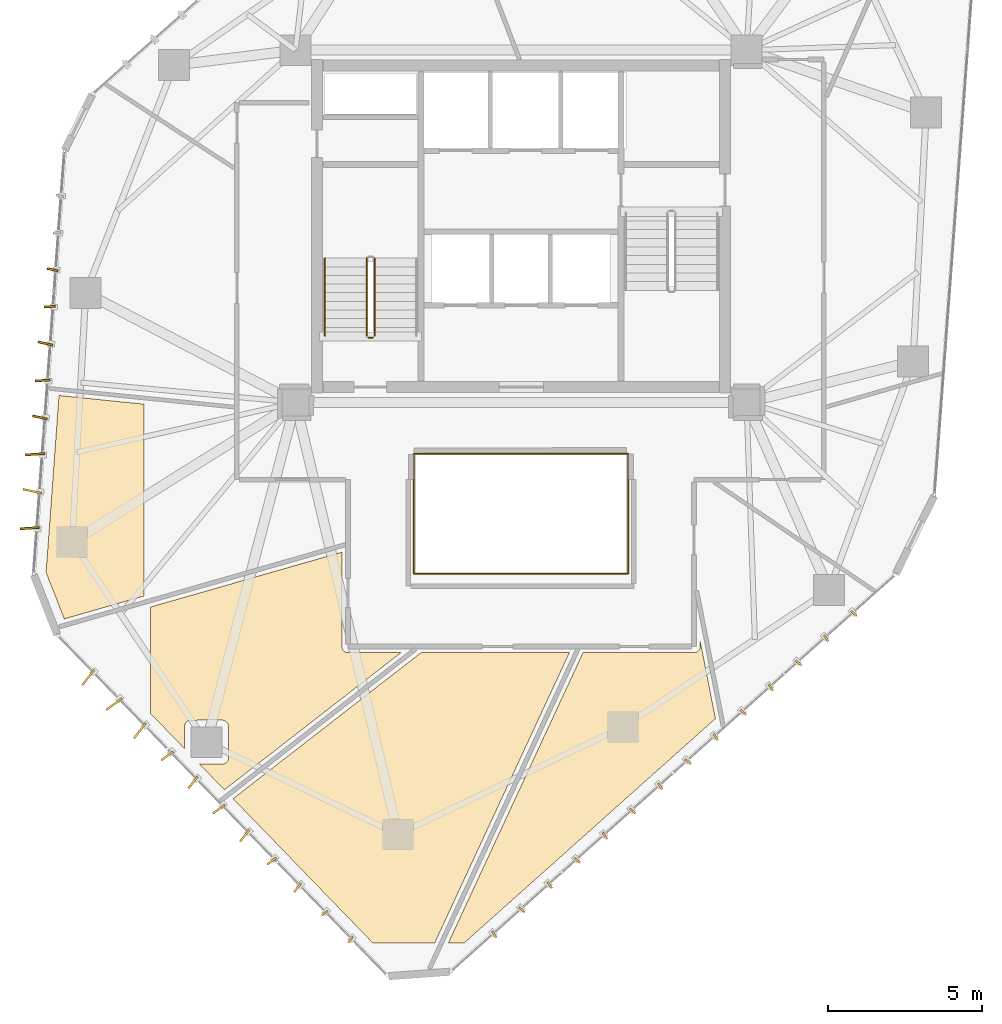
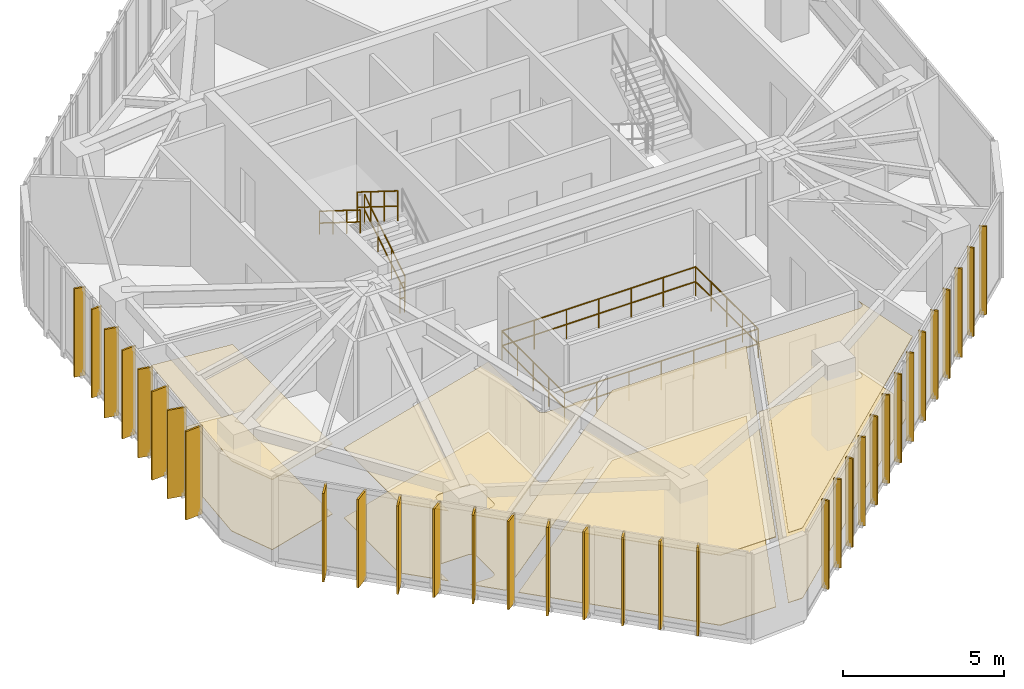
# One storey, part 18 of 19: 33 shading devices, 8 coverings, 8 railings.
"""IFC4 building model written with IfcOpenShell, lengths in metres."""

from ifc_helpers import new_model, si_unit, direction, frame, origin, origin_2d, place, context, subcontext, project, spatial, polyline, rectangle, circle, outline, extrude, source, transform, mapped, material, layer, layer_set, type_object, type_shapes, element, save


model = new_model("IFC4")

# Units and contexts
model_context = context("Model", 3, precision=1e-05, world=origin(), true_north=direction((0.0, 1.0)))
body_context = subcontext(model_context, "Body", "Model", "MODEL_VIEW")
ifc_project = project(units=[si_unit("LENGTHUNIT", "METRE"), si_unit("AREAUNIT", "SQUARE_METRE"), si_unit("VOLUMEUNIT", "CUBIC_METRE"), si_unit("PLANEANGLEUNIT", "RADIAN"), si_unit("MASSUNIT", "GRAM", prefix="KILO")], contexts=[model_context])

# Site, building, storey
site_placement = place(None, origin())
site = spatial("IfcSite", under=ifc_project, at=site_placement, CompositionType="ELEMENT")
building_placement = place(site_placement, origin())
building = spatial("IfcBuilding", under=site, at=building_placement, Name="Talar Marvaseh", CompositionType="ELEMENT")
storey_placement = place(building_placement, frame((0.0, 0.0, 222.199951171875)))
storey = spatial("IfcBuildingStorey", under=building, at=storey_placement, Name="L58", CompositionType="ELEMENT", Elevation=222.199951171875)

# Railings
ifc_material_1 = material(Name="Stainless Steel Grade 316", Category="steel")
railing_type_1 = type_object("IfcRailingType", Name="Brushed Stainless Wall Pitch Handrail 900", PredefinedType="HANDRAIL", material=ifc_material_1)
railing_1_placement = place(storey_placement, frame((19.64990234375, 30.169921875, 1.925048828125)))
element("IfcRailing", 1, at=railing_1_placement, inside=storey, type_object=railing_type_1, Name="L58 ST-1 stair handrail 2", PredefinedType="HANDRAIL", context=body_context, shape_type="SweptSolid", body=[
    extrude(circle(Radius=0.02392578125, at=origin_2d()), frame((0.0, 0.0, 0.8759765625), z_axis=(0.0, -0.848007534815, 0.529984170421), x_axis=(1.0, 0.0, 0.0)), (0.0, 0.0, 1.0), 2.9716796875),
    extrude(circle(Radius=0.02392578125, at=origin_2d()), frame((0.0, 0.0, 0.42578125), z_axis=(0.0, -0.848007534815, 0.529984170421), x_axis=(1.0, 0.0, 0.0)), (0.0, 0.0, 1.0), 2.9716796875),
    extrude(circle(Radius=0.02099609375, at=origin_2d()), origin(), (0.0, 0.0, 1.0), 0.851806640625),
    extrude(circle(Radius=0.02099609375, at=origin_2d()), frame((0.0, -0.840087890625, 0.52490234375)), (0.0, 0.0, 1.0), 0.851806640625),
    extrude(circle(Radius=0.02099609375, at=origin_2d()), frame((0.0, -1.679931640625, 1.050048828125)), (0.0, 0.0, 1.0), 0.851806640625),
    extrude(circle(Radius=0.02099609375, at=origin_2d()), frame((0.0, -2.52001953125, 1.574951171875)), (0.0, 0.0, 1.0), 0.851806640625),
])
ifc_material_2 = material(Name="Tempered Clear Glass", Category="glass")
railing_type_2 = type_object("IfcRailingType", Name="Interior Atrium Edge Balustrade 1120", PredefinedType="BALUSTRADE", material=ifc_material_2)
railing_2_placement = place(storey_placement, frame((22.5302734375, 19.9609375, 0.0)))
element("IfcRailing", 2, at=railing_2_placement, inside=storey, type_object=railing_type_2, Name="L58 Internal Daylight Atrium Balustrade 1", PredefinedType="BALUSTRADE", context=body_context, shape_type="SweptSolid", body=[
    extrude(circle(Radius=0.02392578125, at=origin_2d()), frame((0.0, 0.0, 1.09619140625), z_axis=(1.0, 0.0, 0.0), x_axis=(0.0, 1.0, 0.0)), (0.0, 0.0, 1.0), 6.939453125),
    extrude(circle(Radius=0.02392578125, at=origin_2d()), frame((0.0, 0.0, 0.5361328125), z_axis=(1.0, 0.0, 0.0), x_axis=(0.0, 1.0, 0.0)), (0.0, 0.0, 1.0), 6.939453125),
    extrude(circle(Radius=0.02099609375, at=origin_2d()), origin(), (0.0, 0.0, 1.0), 1.072021484375),
    extrude(circle(Radius=0.02099609375, at=origin_2d()), frame((1.156494140625, 0.0, 0.0)), (0.0, 0.0, 1.0), 1.072021484375),
    extrude(circle(Radius=0.02099609375, at=origin_2d()), frame((2.313232421875, 0.0, 0.0)), (0.0, 0.0, 1.0), 1.072021484375),
    extrude(circle(Radius=0.02099609375, at=origin_2d()), frame((3.4697265625, 0.0, 0.0)), (0.0, 0.0, 1.0), 1.072021484375),
    extrude(circle(Radius=0.02099609375, at=origin_2d()), frame((4.626220703125, 0.0, 0.0)), (0.0, 0.0, 1.0), 1.072021484375),
    extrude(circle(Radius=0.02099609375, at=origin_2d()), frame((5.782958984375, 0.0, 0.0)), (0.0, 0.0, 1.0), 1.072021484375),
    extrude(circle(Radius=0.02099609375, at=origin_2d()), frame((6.939453125, 0.0, 0.0)), (0.0, 0.0, 1.0), 1.072021484375),
])
railing_3_placement = place(storey_placement, frame((29.4697265625, 19.9609375, 0.0)))
element("IfcRailing", 3, at=railing_3_placement, inside=storey, type_object=railing_type_2, Name="L58 Internal Daylight Atrium Balustrade 2", PredefinedType="BALUSTRADE", context=body_context, shape_type="SweptSolid", body=[
    extrude(circle(Radius=0.02392578125, at=origin_2d()), frame((0.0, 0.0, 1.09619140625), z_axis=(0.0, 1.0, 0.0), x_axis=(-1.0, 0.0, 0.0)), (0.0, 0.0, 1.0), 3.878173828125),
    extrude(circle(Radius=0.02392578125, at=origin_2d()), frame((0.0, 0.0, 0.5361328125), z_axis=(0.0, 1.0, 0.0), x_axis=(-1.0, 0.0, 0.0)), (0.0, 0.0, 1.0), 3.878173828125),
    extrude(circle(Radius=0.02099609375, at=origin_2d()), origin(), (0.0, 0.0, 1.0), 1.072021484375),
    extrude(circle(Radius=0.02099609375, at=origin_2d()), frame((0.0, 0.969482421875, 0.0)), (0.0, 0.0, 1.0), 1.072021484375),
    extrude(circle(Radius=0.02099609375, at=origin_2d()), frame((0.0, 1.93896484375, 0.0)), (0.0, 0.0, 1.0), 1.072021484375),
    extrude(circle(Radius=0.02099609375, at=origin_2d()), frame((0.0, 2.90869140625, 0.0)), (0.0, 0.0, 1.0), 1.072021484375),
    extrude(circle(Radius=0.02099609375, at=origin_2d()), frame((0.0, 3.878173828125, 0.0)), (0.0, 0.0, 1.0), 1.072021484375),
])
railing_4_placement = place(storey_placement, frame((29.4697265625, 23.839111328125, 0.0)))
element("IfcRailing", 4, at=railing_4_placement, inside=storey, type_object=railing_type_2, Name="L58 Internal Daylight Atrium Balustrade 3", PredefinedType="BALUSTRADE", context=body_context, shape_type="SweptSolid", body=[
    extrude(circle(Radius=0.02392578125, at=origin_2d()), frame((0.0, 0.0, 1.09619140625), z_axis=(-1.0, 0.0, 0.0), x_axis=(0.0, -1.0, 0.0)), (0.0, 0.0, 1.0), 6.939453125),
    extrude(circle(Radius=0.02392578125, at=origin_2d()), frame((0.0, 0.0, 0.5361328125), z_axis=(-1.0, 0.0, 0.0), x_axis=(0.0, -1.0, 0.0)), (0.0, 0.0, 1.0), 6.939453125),
    extrude(circle(Radius=0.02099609375, at=origin_2d()), origin(), (0.0, 0.0, 1.0), 1.072021484375),
    extrude(circle(Radius=0.02099609375, at=origin_2d()), frame((-1.156494140625, 0.0, 0.0)), (0.0, 0.0, 1.0), 1.072021484375),
    extrude(circle(Radius=0.02099609375, at=origin_2d()), frame((-2.313232421875, 0.0, 0.0)), (0.0, 0.0, 1.0), 1.072021484375),
    extrude(circle(Radius=0.02099609375, at=origin_2d()), frame((-3.4697265625, 0.0, 0.0)), (0.0, 0.0, 1.0), 1.072021484375),
    extrude(circle(Radius=0.02099609375, at=origin_2d()), frame((-4.626220703125, 0.0, 0.0)), (0.0, 0.0, 1.0), 1.072021484375),
    extrude(circle(Radius=0.02099609375, at=origin_2d()), frame((-5.782958984375, 0.0, 0.0)), (0.0, 0.0, 1.0), 1.072021484375),
    extrude(circle(Radius=0.02099609375, at=origin_2d()), frame((-6.939453125, 0.0, 0.0)), (0.0, 0.0, 1.0), 1.072021484375),
])
railing_5_placement = place(storey_placement, frame((22.5302734375, 23.839111328125, 0.0)))
element("IfcRailing", 5, at=railing_5_placement, inside=storey, type_object=railing_type_2, Name="L58 Internal Daylight Atrium Balustrade 4", PredefinedType="BALUSTRADE", context=body_context, shape_type="SweptSolid", body=[
    extrude(circle(Radius=0.02392578125, at=origin_2d()), frame((0.0, 0.0, 1.09619140625), z_axis=(0.0, -1.0, 0.0), x_axis=(1.0, 0.0, 0.0)), (0.0, 0.0, 1.0), 3.878173828125),
    extrude(circle(Radius=0.02392578125, at=origin_2d()), frame((0.0, 0.0, 0.5361328125), z_axis=(0.0, -1.0, 0.0), x_axis=(1.0, 0.0, 0.0)), (0.0, 0.0, 1.0), 3.878173828125),
    extrude(circle(Radius=0.02099609375, at=origin_2d()), origin(), (0.0, 0.0, 1.0), 1.072021484375),
    extrude(circle(Radius=0.02099609375, at=origin_2d()), frame((0.0, -0.969482421875, 0.0)), (0.0, 0.0, 1.0), 1.072021484375),
    extrude(circle(Radius=0.02099609375, at=origin_2d()), frame((0.0, -1.93896484375, 0.0)), (0.0, 0.0, 1.0), 1.072021484375),
    extrude(circle(Radius=0.02099609375, at=origin_2d()), frame((0.0, -2.90869140625, 0.0)), (0.0, 0.0, 1.0), 1.072021484375),
    extrude(circle(Radius=0.02099609375, at=origin_2d()), frame((0.0, -3.878173828125, 0.0)), (0.0, 0.0, 1.0), 1.072021484375),
])
railing_type_3 = type_object("IfcRailingType", Name="Painted Steel Core Stair Well Guardrail 1150", PredefinedType="GUARDRAIL", material=ifc_material_1)
railing_6_placement = place(storey_placement, frame((21.260009765625, 27.64990234375, 0.175048828125)))
element("IfcRailing", 6, at=railing_6_placement, inside=storey, type_object=railing_type_3, Name="L58 ST-1 stair guard 1", PredefinedType="GUARDRAIL", context=body_context, shape_type="SweptSolid", body=[
    extrude(circle(Radius=0.02392578125, at=origin_2d()), frame((0.0, 0.0, 1.1259765625), z_axis=(0.0, 0.848007534815, 0.529984170421), x_axis=(-1.0, 0.0, 0.0)), (0.0, 0.0, 1.0), 2.9716796875),
    extrude(circle(Radius=0.02392578125, at=origin_2d()), frame((0.0, 0.0, 0.55078125), z_axis=(0.0, 0.848007534815, 0.529984170421), x_axis=(-1.0, 0.0, 0.0)), (0.0, 0.0, 1.0), 2.9716796875),
    extrude(circle(Radius=0.02099609375, at=origin_2d()), origin(), (0.0, 0.0, 1.0), 1.101806640625),
    extrude(circle(Radius=0.02099609375, at=origin_2d()), frame((0.0, 0.840087890625, 0.52490234375)), (0.0, 0.0, 1.0), 1.101806640625),
    extrude(circle(Radius=0.02099609375, at=origin_2d()), frame((0.0, 1.679931640625, 1.050048828125)), (0.0, 0.0, 1.0), 1.101806640625),
    extrude(circle(Radius=0.02099609375, at=origin_2d()), frame((0.0, 2.52001953125, 1.574951171875)), (0.0, 0.0, 1.0), 1.101806640625),
])
railing_7_placement = place(storey_placement, frame((21.0, 30.169921875, 1.925048828125)))
element("IfcRailing", 7, at=railing_7_placement, inside=storey, type_object=railing_type_3, Name="L58 ST-1 stair guard 3", PredefinedType="GUARDRAIL", context=body_context, shape_type="SweptSolid", body=[
    extrude(circle(Radius=0.02392578125, at=origin_2d()), frame((0.0, 0.0, 1.1259765625), z_axis=(0.0, -0.848007534815, 0.529984170421), x_axis=(1.0, 0.0, 0.0)), (0.0, 0.0, 1.0), 2.9716796875),
    extrude(circle(Radius=0.02392578125, at=origin_2d()), frame((0.0, 0.0, 0.55078125), z_axis=(0.0, -0.848007534815, 0.529984170421), x_axis=(1.0, 0.0, 0.0)), (0.0, 0.0, 1.0), 2.9716796875),
    extrude(circle(Radius=0.02099609375, at=origin_2d()), origin(), (0.0, 0.0, 1.0), 1.101806640625),
    extrude(circle(Radius=0.02099609375, at=origin_2d()), frame((0.0, -0.840087890625, 0.52490234375)), (0.0, 0.0, 1.0), 1.101806640625),
    extrude(circle(Radius=0.02099609375, at=origin_2d()), frame((0.0, -1.679931640625, 1.050048828125)), (0.0, 0.0, 1.0), 1.101806640625),
    extrude(circle(Radius=0.02099609375, at=origin_2d()), frame((0.0, -2.52001953125, 1.574951171875)), (0.0, 0.0, 1.0), 1.101806640625),
])
railing_8_placement = place(storey_placement, frame((21.2099609375, 27.60009765625, 0.0)))
element("IfcRailing", 8, at=railing_8_placement, inside=storey, type_object=railing_type_3, Name="L58 ST-1 stair guard 4", PredefinedType="GUARDRAIL", context=body_context, shape_type="SweptSolid", body=[
    extrude(circle(Radius=0.02392578125, at=origin_2d()), frame((0.0, 0.0, 1.1259765625), z_axis=(-1.0, 0.0, 0.0), x_axis=(0.0, -1.0, 0.0)), (0.0, 0.0, 1.0), 0.159912109375),
    extrude(circle(Radius=0.02392578125, at=origin_2d()), frame((0.0, 0.0, 0.55078125), z_axis=(-1.0, 0.0, 0.0), x_axis=(0.0, -1.0, 0.0)), (0.0, 0.0, 1.0), 0.159912109375),
    extrude(circle(Radius=0.02099609375, at=origin_2d()), origin(), (0.0, 0.0, 1.0), 1.101806640625),
    extrude(circle(Radius=0.02099609375, at=origin_2d()), frame((-0.159912109375, 0.0, 0.0)), (0.0, 0.0, 1.0), 1.101806640625),
])

# Coverings
ifc_material_3 = material(Name="Mineral Fibre Acoustic Ceiling")
ifc_layer_1 = layer(ifc_material_3, 0.02490234375)
ifc_layer_set_1 = layer_set([ifc_layer_1], Name="Mineral Fibre Acoustic Ceiling")
covering_type_1 = type_object("IfcCoveringType", Name="Perforated Mineral Fibre Acoustic Suspended Ceiling", PredefinedType="CEILING", material=ifc_layer_set_1)
covering_1_placement = place(storey_placement, frame((0.0, 0.0, 2.650146484375)))
element("IfcCovering", 9, at=covering_1_placement, inside=storey, type_object=covering_type_1, Name="L58 Gallery Concierge Reception Acoustic Ceiling", PredefinedType="CEILING", context=body_context, shape_type="SweptSolid", body=[
    extrude(outline(polyline([(13.800048828125, 19.2333984375), (11.2158203125, 18.4921875), (10.62646484375, 19.997802734375), (11.045166015625, 25.724853515625), (13.800048828125, 25.4423828125), (13.800048828125, 19.2333984375)])), origin(), (0.0, 0.0, 1.0), 0.02490234375),
])
covering_2_placement = place(storey_placement, frame((0.0, 0.0, 2.650146484375)))
element("IfcCovering", 10, at=covering_2_placement, inside=storey, type_object=covering_type_1, Name="L58 Rare Books Archive Room Acoustic Ceiling", PredefinedType="CEILING", context=body_context, shape_type="SweptSolid", body=[
    extrude(outline(polyline([(20.199951171875, 17.60009765625), (20.200927734375, 17.580322265625), (20.203857421875, 17.56103515625), (20.20849609375, 17.5419921875), (20.215087890625, 17.5234375), (20.2236328125, 17.505615234375), (20.233642578125, 17.489013671875), (20.245361328125, 17.47314453125), (20.258544921875, 17.45849609375), (20.273193359375, 17.4453125), (20.288818359375, 17.43359375), (20.3056640625, 17.423583984375), (20.323486328125, 17.415283203125), (20.341796875, 17.40869140625), (20.361083984375, 17.40380859375), (20.38037109375, 17.40087890625), (20.39990234375, 17.39990234375), (22.111083984375, 17.39990234375), (16.399658203125, 12.9609375), (15.595947265625, 13.790283203125), (16.32958984375, 13.790283203125), (16.34912109375, 13.79150390625), (16.368408203125, 13.794189453125), (16.387451171875, 13.799072265625), (16.406005859375, 13.805419921875), (16.423583984375, 13.81396484375), (16.4404296875, 13.823974609375), (16.456298828125, 13.835693359375), (16.470703125, 13.8486328125), (16.48388671875, 13.86328125), (16.49560546875, 13.87890625), (16.505615234375, 13.8955078125), (16.51416015625, 13.913330078125), (16.520751953125, 13.931640625), (16.525634765625, 13.95068359375), (16.528564453125, 13.969970703125), (16.529541015625, 13.989501953125), (16.533935546875, 15.001708984375), (16.533203125, 15.020263671875), (16.530517578125, 15.038818359375), (16.5263671875, 15.056884765625), (16.5205078125, 15.07470703125), (16.512939453125, 15.091552734375), (16.50390625, 15.10791015625), (16.493408203125, 15.123291015625), (16.4814453125, 15.1376953125), (16.46826171875, 15.150634765625), (16.453369140625, 15.164306640625), (16.43896484375, 15.176025390625), (16.423583984375, 15.186279296875), (16.407470703125, 15.1953125), (16.390625, 15.202880859375), (16.373046875, 15.20849609375), (16.35498046875, 15.212646484375), (16.336669921875, 15.215087890625), (16.318115234375, 15.216064453125), (15.3076171875, 15.211669921875), (15.2880859375, 15.210693359375), (15.2685546875, 15.20751953125), (15.249755859375, 15.202880859375), (15.231201171875, 15.196044921875), (15.213623046875, 15.187744140625), (15.19677734375, 15.177490234375), (15.18115234375, 15.166015625), (15.166748046875, 15.152587890625), (15.153564453125, 15.13818359375), (15.141845703125, 15.122314453125), (15.1318359375, 15.105712890625), (15.12353515625, 15.087890625), (15.116943359375, 15.069580078125), (15.1123046875, 15.050537109375), (15.109375, 15.031005859375), (15.1083984375, 15.01171875), (15.1083984375, 14.293701171875), (14.0, 15.4375), (14.0, 18.87451171875), (20.199951171875, 20.65234375), (20.199951171875, 17.60009765625)])), origin(), (0.0, 0.0, 1.0), 0.02490234375),
])
covering_3_placement = place(storey_placement, frame((0.0, 0.0, 2.650146484375)))
element("IfcCovering", 11, at=covering_3_placement, inside=storey, type_object=covering_type_1, Name="L58 Visitor Orientation Foyer Acoustic Ceiling", PredefinedType="CEILING", context=body_context, shape_type="SweptSolid", body=[
    extrude(outline(polyline([(27.564208984375, 17.39990234375), (23.20361328125, 8.0), (21.20654296875, 8.0), (16.6796875, 12.672119140625), (22.762939453125, 17.39990234375), (27.564208984375, 17.39990234375)])), origin(), (0.0, 0.0, 1.0), 0.02490234375),
])
covering_4_placement = place(storey_placement, frame((0.0, 0.0, 2.650146484375)))
element("IfcCovering", 12, at=covering_4_placement, inside=storey, type_object=covering_type_1, Name="L58 Collection Conservation Store Acoustic Ceiling", PredefinedType="CEILING", context=body_context, shape_type="SweptSolid", body=[
    extrude(outline(polyline([(31.60009765625, 17.39990234375), (31.61962890625, 17.40087890625), (31.638916015625, 17.40380859375), (31.658203125, 17.40869140625), (31.676513671875, 17.415283203125), (31.6943359375, 17.423583984375), (31.711181640625, 17.43359375), (31.726806640625, 17.4453125), (31.741455078125, 17.45849609375), (31.754638671875, 17.47314453125), (31.766357421875, 17.489013671875), (31.7763671875, 17.505615234375), (31.784912109375, 17.5234375), (31.79150390625, 17.5419921875), (31.796142578125, 17.56103515625), (31.799072265625, 17.580322265625), (31.800048828125, 17.60009765625), (31.800048828125, 17.771728515625), (32.29248046875, 15.265380859375), (24.15478515625, 8.0), (23.64453125, 8.0), (28.005126953125, 17.39990234375), (31.60009765625, 17.39990234375)])), origin(), (0.0, 0.0, 1.0), 0.02490234375),
])
ifc_material_4 = material(Name="Porcelain Stoneware Tile", Category="masonry")
ifc_layer_2 = layer(ifc_material_4, 0.02001953125)
ifc_layer_set_2 = layer_set([ifc_layer_2], Name="Porcelain Stoneware Tile")
covering_type_2 = type_object("IfcCoveringType", Name="Polished Porcelain Stoneware Gallery Flooring", PredefinedType="FLOORING", material=ifc_layer_set_2)
covering_5_placement = place(storey_placement, origin())
element("IfcCovering", 13, at=covering_5_placement, inside=storey, type_object=covering_type_2, Name="L58 Gallery Concierge Reception Flooring", PredefinedType="FLOORING", context=body_context, shape_type="SweptSolid", body=[
    extrude(outline(polyline([(13.800048828125, 19.2333984375), (11.2158203125, 18.4921875), (10.62646484375, 19.997802734375), (11.045166015625, 25.724853515625), (13.800048828125, 25.4423828125), (13.800048828125, 19.2333984375)])), origin(), (0.0, 0.0, 1.0), 0.02001953125),
])
covering_6_placement = place(storey_placement, origin())
element("IfcCovering", 14, at=covering_6_placement, inside=storey, type_object=covering_type_2, Name="L58 Rare Books Archive Room Flooring", PredefinedType="FLOORING", context=body_context, shape_type="SweptSolid", body=[
    extrude(outline(polyline([(20.199951171875, 17.60009765625), (20.200927734375, 17.580322265625), (20.203857421875, 17.56103515625), (20.20849609375, 17.5419921875), (20.215087890625, 17.5234375), (20.2236328125, 17.505615234375), (20.233642578125, 17.489013671875), (20.245361328125, 17.47314453125), (20.258544921875, 17.45849609375), (20.273193359375, 17.4453125), (20.288818359375, 17.43359375), (20.3056640625, 17.423583984375), (20.323486328125, 17.415283203125), (20.341796875, 17.40869140625), (20.361083984375, 17.40380859375), (20.38037109375, 17.40087890625), (20.39990234375, 17.39990234375), (22.111083984375, 17.39990234375), (16.399658203125, 12.9609375), (15.595947265625, 13.790283203125), (16.32958984375, 13.790283203125), (16.34912109375, 13.79150390625), (16.368408203125, 13.794189453125), (16.387451171875, 13.799072265625), (16.406005859375, 13.805419921875), (16.423583984375, 13.81396484375), (16.4404296875, 13.823974609375), (16.456298828125, 13.835693359375), (16.470703125, 13.8486328125), (16.48388671875, 13.86328125), (16.49560546875, 13.87890625), (16.505615234375, 13.8955078125), (16.51416015625, 13.913330078125), (16.520751953125, 13.931640625), (16.525634765625, 13.95068359375), (16.528564453125, 13.969970703125), (16.529541015625, 13.989501953125), (16.533935546875, 15.001708984375), (16.533203125, 15.020263671875), (16.530517578125, 15.038818359375), (16.5263671875, 15.056884765625), (16.5205078125, 15.07470703125), (16.512939453125, 15.091552734375), (16.50390625, 15.10791015625), (16.493408203125, 15.123291015625), (16.4814453125, 15.1376953125), (16.46826171875, 15.150634765625), (16.453369140625, 15.164306640625), (16.43896484375, 15.176025390625), (16.423583984375, 15.186279296875), (16.407470703125, 15.1953125), (16.390625, 15.202880859375), (16.373046875, 15.20849609375), (16.35498046875, 15.212646484375), (16.336669921875, 15.215087890625), (16.318115234375, 15.216064453125), (15.3076171875, 15.211669921875), (15.2880859375, 15.210693359375), (15.2685546875, 15.20751953125), (15.249755859375, 15.202880859375), (15.231201171875, 15.196044921875), (15.213623046875, 15.187744140625), (15.19677734375, 15.177490234375), (15.18115234375, 15.166015625), (15.166748046875, 15.152587890625), (15.153564453125, 15.13818359375), (15.141845703125, 15.122314453125), (15.1318359375, 15.105712890625), (15.12353515625, 15.087890625), (15.116943359375, 15.069580078125), (15.1123046875, 15.050537109375), (15.109375, 15.031005859375), (15.1083984375, 15.01171875), (15.1083984375, 14.293701171875), (14.0, 15.4375), (14.0, 18.87451171875), (20.199951171875, 20.65234375), (20.199951171875, 17.60009765625)])), origin(), (0.0, 0.0, 1.0), 0.02001953125),
])
covering_7_placement = place(storey_placement, origin())
element("IfcCovering", 15, at=covering_7_placement, inside=storey, type_object=covering_type_2, Name="L58 Visitor Orientation Foyer Flooring", PredefinedType="FLOORING", context=body_context, shape_type="SweptSolid", body=[
    extrude(outline(polyline([(27.564208984375, 17.39990234375), (23.20361328125, 8.0), (21.20654296875, 8.0), (16.6796875, 12.672119140625), (22.762939453125, 17.39990234375), (27.564208984375, 17.39990234375)])), origin(), (0.0, 0.0, 1.0), 0.02001953125),
])
covering_8_placement = place(storey_placement, origin())
element("IfcCovering", 16, at=covering_8_placement, inside=storey, type_object=covering_type_2, Name="L58 Collection Conservation Store Flooring", PredefinedType="FLOORING", context=body_context, shape_type="SweptSolid", body=[
    extrude(outline(polyline([(31.60009765625, 17.39990234375), (31.61962890625, 17.40087890625), (31.638916015625, 17.40380859375), (31.658203125, 17.40869140625), (31.676513671875, 17.415283203125), (31.6943359375, 17.423583984375), (31.711181640625, 17.43359375), (31.726806640625, 17.4453125), (31.741455078125, 17.45849609375), (31.754638671875, 17.47314453125), (31.766357421875, 17.489013671875), (31.7763671875, 17.505615234375), (31.784912109375, 17.5234375), (31.79150390625, 17.5419921875), (31.796142578125, 17.56103515625), (31.799072265625, 17.580322265625), (31.800048828125, 17.60009765625), (31.800048828125, 17.771728515625), (32.29248046875, 15.265380859375), (24.15478515625, 8.0), (23.64453125, 8.0), (28.005126953125, 17.39990234375), (31.60009765625, 17.39990234375)])), origin(), (0.0, 0.0, 1.0), 0.02001953125),
])

# Shading devices
ifc_material_5 = material(Name="Anodised Champagne Bronze Aluminium", Category="aluminium")
ifc_layer_3 = layer(ifc_material_5, 0.06494140625)
ifc_layer_set_3 = layer_set([ifc_layer_3], Name="Anodised Champagne Bronze Aluminium")
shading_device_type_1 = type_object("IfcShadingDeviceType", Name="Sawtooth Champagne Bronze Vertical Fin 240", PredefinedType="USERDEFINED", material=ifc_layer_set_3)
shared_shape_1 = source(origin(), body_context, "Body", "SweptSolid", [
    extrude(rectangle(XDim=0.239990234375, YDim=0.06494140625, at=origin_2d()), origin(), (0.0, 0.0, 1.0), 3.35009765625),
])
type_shapes(shading_device_type_1, [shared_shape_1])
for number, where, z_axis, x_axis, name in (
    (17, (20.479736328125, 8.110595703125, -0.1201171875), (0.0, 0.0, 1.0), (-0.614285200099, -0.789084084835, 0.0), "L58 Sawtooth Vertical Solar Fin"),
    (18, (19.644775390625, 8.972412109375, -0.1201171875), (0.0, 0.0, 1.0), (-0.807989883898, -0.589196357353, 0.0), "L58 Sawtooth Vertical Solar Fin"),
    (19, (36.771728515625, 18.668212890625, -0.1201171875), (0.0, 0.0, 1.0), (0.763345228065, -0.645990760607, 0.0), "L58 Sawtooth Vertical Solar Fin"),
    (20, (35.876708984375, 17.868896484375, -0.1201171875), (0.0, 0.0, 1.0), (0.555715343381, -0.831372634341, 0.0), "L58 Sawtooth Vertical Solar Fin"),
    (21, (34.9814453125, 17.069580078125, -0.1201171875), (0.0, 0.0, 1.0), (0.763345228065, -0.645990760607, 0.0), "L58 Sawtooth Vertical Solar Fin"),
    (22, (34.08642578125, 16.2705078125, -0.1201171875), (0.0, 0.0, 1.0), (0.555715343381, -0.831372634341, 0.0), "L58 Sawtooth Vertical Solar Fin"),
    (23, (33.191162109375, 15.47119140625, -0.1201171875), (0.0, 0.0, 1.0), (0.763345228065, -0.645990760607, 0.0), "L58 Sawtooth Vertical Solar Fin"),
    (24, (32.296142578125, 14.672119140625, -0.1201171875), (0.0, 0.0, 1.0), (0.555715343381, -0.831372634341, 0.0), "L58 Sawtooth Vertical Solar Fin"),
    (25, (31.40087890625, 13.872802734375, -0.1201171875), (0.0, 0.0, 1.0), (0.763345228065, -0.645990760607, 0.0), "L58 Sawtooth Vertical Solar Fin"),
    (26, (30.505859375, 13.07373046875, -0.1201171875), (0.0, 0.0, 1.0), (0.555715343381, -0.831372634341, 0.0), "L58 Sawtooth Vertical Solar Fin"),
    (27, (29.610595703125, 12.2744140625, -0.1201171875), (0.0, 0.0, 1.0), (0.763345228065, -0.645990760607, 0.0), "L58 Sawtooth Vertical Solar Fin"),
    (28, (28.715576171875, 11.475341796875, -0.1201171875), (0.0, 0.0, 1.0), (0.555715343381, -0.831372634341, 0.0), "L58 Sawtooth Vertical Solar Fin"),
    (29, (27.8203125, 10.676025390625, -0.1201171875), (0.0, 0.0, 1.0), (0.763345228065, -0.645990760607, 0.0), "L58 Sawtooth Vertical Solar Fin"),
    (30, (26.92529296875, 9.876953125, -0.1201171875), (0.0, 0.0, 1.0), (0.555715343381, -0.831372634341, 0.0), "L58 Sawtooth Vertical Solar Fin"),
    (31, (26.030029296875, 9.07763671875, -0.1201171875), (0.0, 0.0, 1.0), (0.763345228065, -0.645990760607, 0.0), "L58 Sawtooth Vertical Solar Fin"),
    (32, (25.135009765625, 8.278564453125, -0.1201171875), (0.0, 0.0, 1.0), (0.555715343381, -0.831372634341, 0.0), "L58 Sawtooth Vertical Solar Fin"),
):
    element("IfcShadingDevice", number, at=place(storey_placement, frame(where, z_axis=z_axis, x_axis=x_axis)), inside=storey, type_object=shading_device_type_1, Name=name, ObjectType="FIN", PredefinedType="USERDEFINED", context=body_context, shape_type="MappedRepresentation", body=[
        mapped(shared_shape_1, transform((0.0, 0.0, 0.0), x_axis=(1.0, 0.0, 0.0), y_axis=(0.0, 1.0, 0.0), z_axis=(0.0, 0.0, 1.0), scale=1.0)),
    ])
ifc_layer_4 = layer(ifc_material_5, 0.06494140625)
ifc_layer_set_4 = layer_set([ifc_layer_4], Name="Anodised Champagne Bronze Aluminium")
shading_device_type_2 = type_object("IfcShadingDeviceType", Name="Sawtooth Champagne Bronze Vertical Fin 360", PredefinedType="USERDEFINED", material=ifc_layer_set_4)
shared_shape_2 = source(origin(), body_context, "Body", "SweptSolid", [
    extrude(rectangle(XDim=0.360107421875, YDim=0.06494140625, at=origin_2d()), origin(), (0.0, 0.0, 1.0), 3.35009765625),
])
type_shapes(shading_device_type_2, [shared_shape_2])
for number, where, z_axis, x_axis, name in (
    (33, (18.7666015625, 9.79248046875, -0.1201171875), (0.0, 0.0, 1.0), (-0.614285200099, -0.789084084835, 0.0), "L58 Sawtooth Vertical Solar Fin"),
    (34, (17.931396484375, 10.654296875, -0.1201171875), (0.0, 0.0, 1.0), (-0.807989883898, -0.589196357353, 0.0), "L58 Sawtooth Vertical Solar Fin"),
    (35, (10.749267578125, 28.600341796875, -0.1201171875), (0.0, 0.0, 1.0), (-0.997778273548, -0.066622194773, 0.0), "L58 Sawtooth Vertical Solar Fin"),
    (36, (10.836669921875, 29.797119140625, -0.1201171875), (0.0, 0.0, 1.0), (-0.977489601007, 0.210983601077, 0.0), "L58 Sawtooth Vertical Solar Fin"),
):
    element("IfcShadingDevice", number, at=place(storey_placement, frame(where, z_axis=z_axis, x_axis=x_axis)), inside=storey, type_object=shading_device_type_2, Name=name, ObjectType="FIN", PredefinedType="USERDEFINED", context=body_context, shape_type="MappedRepresentation", body=[
        mapped(shared_shape_2, transform((0.0, 0.0, 0.0), x_axis=(1.0, 0.0, 0.0), y_axis=(0.0, 1.0, 0.0), z_axis=(0.0, 0.0, 1.0), scale=1.0)),
    ])
ifc_layer_5 = layer(ifc_material_5, 0.06494140625)
ifc_layer_set_5 = layer_set([ifc_layer_5], Name="Anodised Champagne Bronze Aluminium")
shading_device_type_3 = type_object("IfcShadingDeviceType", Name="Sawtooth Champagne Bronze Vertical Fin 480", PredefinedType="USERDEFINED", material=ifc_layer_set_5)
shared_shape_3 = source(origin(), body_context, "Body", "SweptSolid", [
    extrude(rectangle(XDim=0.47998046875, YDim=0.06494140625, at=origin_2d()), origin(), (0.0, 0.0, 1.0), 3.35009765625),
])
type_shapes(shading_device_type_3, [shared_shape_3])
for number, where, z_axis, x_axis, name in (
    (37, (17.053466796875, 11.474365234375, -0.1201171875), (0.0, 0.0, 1.0), (-0.614285200099, -0.789084084835, 0.0), "L58 Sawtooth Vertical Solar Fin"),
    (38, (16.218505859375, 12.336181640625, -0.1201171875), (0.0, 0.0, 1.0), (-0.807989883898, -0.589196357353, 0.0), "L58 Sawtooth Vertical Solar Fin"),
    (39, (15.38330078125, 13.197998046875, -0.1201171875), (0.0, 0.0, 1.0), (-0.614285200099, -0.789084084835, 0.0), "L58 Sawtooth Vertical Solar Fin"),
    (40, (14.54833984375, 14.059814453125, -0.1201171875), (0.0, 0.0, 1.0), (-0.807989883898, -0.589196357353, 0.0), "L58 Sawtooth Vertical Solar Fin"),
    (41, (10.4267578125, 25.014404296875, -0.1201171875), (0.0, 0.0, 1.0), (-0.977489601007, 0.210983601077, 0.0), "L58 Sawtooth Vertical Solar Fin"),
    (42, (10.514404296875, 26.211181640625, -0.1201171875), (0.0, 0.0, 1.0), (-0.997778273548, -0.066622194773, 0.0), "L58 Sawtooth Vertical Solar Fin"),
    (43, (10.601806640625, 27.407958984375, -0.1201171875), (0.0, 0.0, 1.0), (-0.977489601007, 0.210983601077, 0.0), "L58 Sawtooth Vertical Solar Fin"),
):
    element("IfcShadingDevice", number, at=place(storey_placement, frame(where, z_axis=z_axis, x_axis=x_axis)), inside=storey, type_object=shading_device_type_3, Name=name, ObjectType="FIN", PredefinedType="USERDEFINED", context=body_context, shape_type="MappedRepresentation", body=[
        mapped(shared_shape_3, transform((0.0, 0.0, 0.0), x_axis=(1.0, 0.0, 0.0), y_axis=(0.0, 1.0, 0.0), z_axis=(0.0, 0.0, 1.0), scale=1.0)),
    ])
ifc_layer_6 = layer(ifc_material_5, 0.06494140625)
ifc_layer_set_6 = layer_set([ifc_layer_6], Name="Anodised Champagne Bronze Aluminium")
shading_device_type_4 = type_object("IfcShadingDeviceType", Name="Sawtooth Champagne Bronze Vertical Fin 620", PredefinedType="USERDEFINED", material=ifc_layer_set_6)
shared_shape_4 = source(origin(), body_context, "Body", "SweptSolid", [
    extrude(rectangle(XDim=0.6201171875, YDim=0.06494140625, at=origin_2d()), origin(), (0.0, 0.0, 1.0), 3.35009765625),
])
type_shapes(shading_device_type_4, [shared_shape_4])
for number, where, z_axis, x_axis, name in (
    (44, (13.6630859375, 14.872802734375, -0.1201171875), (0.0, 0.0, 1.0), (-0.614285200099, -0.789084084835, 0.0), "L58 Sawtooth Vertical Solar Fin"),
    (45, (12.827880859375, 15.734619140625, -0.1201171875), (0.0, 0.0, 1.0), (-0.807989883898, -0.589196357353, 0.0), "L58 Sawtooth Vertical Solar Fin"),
    (46, (11.992919921875, 16.596435546875, -0.1201171875), (0.0, 0.0, 1.0), (-0.614285200099, -0.789084084835, 0.0), "L58 Sawtooth Vertical Solar Fin"),
    (47, (10.094482421875, 21.42919921875, -0.1201171875), (0.0, 0.0, 1.0), (-0.997778273548, -0.066622194773, 0.0), "L58 Sawtooth Vertical Solar Fin"),
    (48, (10.181884765625, 22.6259765625, -0.1201171875), (0.0, 0.0, 1.0), (-0.977489601007, 0.210983601077, 0.0), "L58 Sawtooth Vertical Solar Fin"),
    (49, (10.26953125, 23.82275390625, -0.1201171875), (0.0, 0.0, 1.0), (-0.997778273548, -0.066622194773, 0.0), "L58 Sawtooth Vertical Solar Fin"),
):
    element("IfcShadingDevice", number, at=place(storey_placement, frame(where, z_axis=z_axis, x_axis=x_axis)), inside=storey, type_object=shading_device_type_4, Name=name, ObjectType="FIN", PredefinedType="USERDEFINED", context=body_context, shape_type="MappedRepresentation", body=[
        mapped(shared_shape_4, transform((0.0, 0.0, 0.0), x_axis=(1.0, 0.0, 0.0), y_axis=(0.0, 1.0, 0.0), z_axis=(0.0, 0.0, 1.0), scale=1.0)),
    ])

save(model, "model.ifc")
